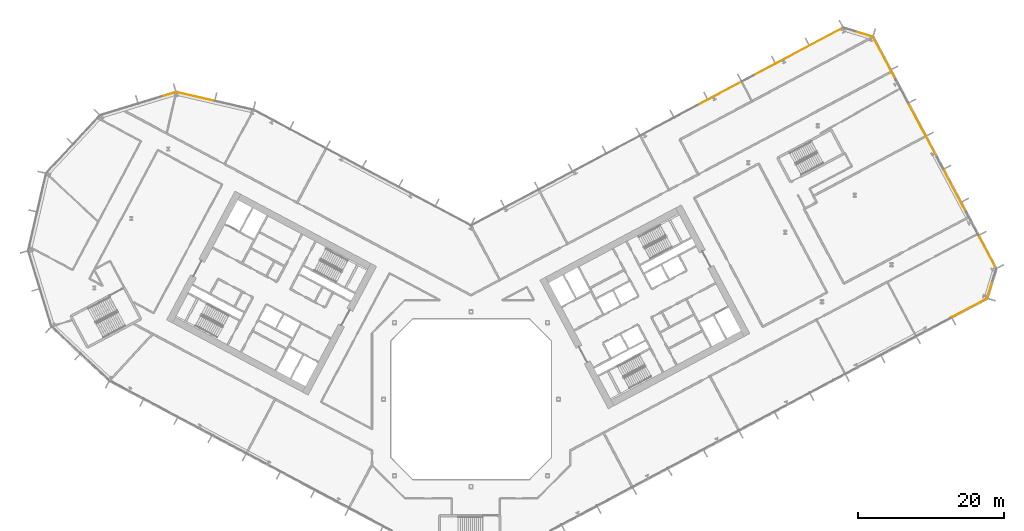
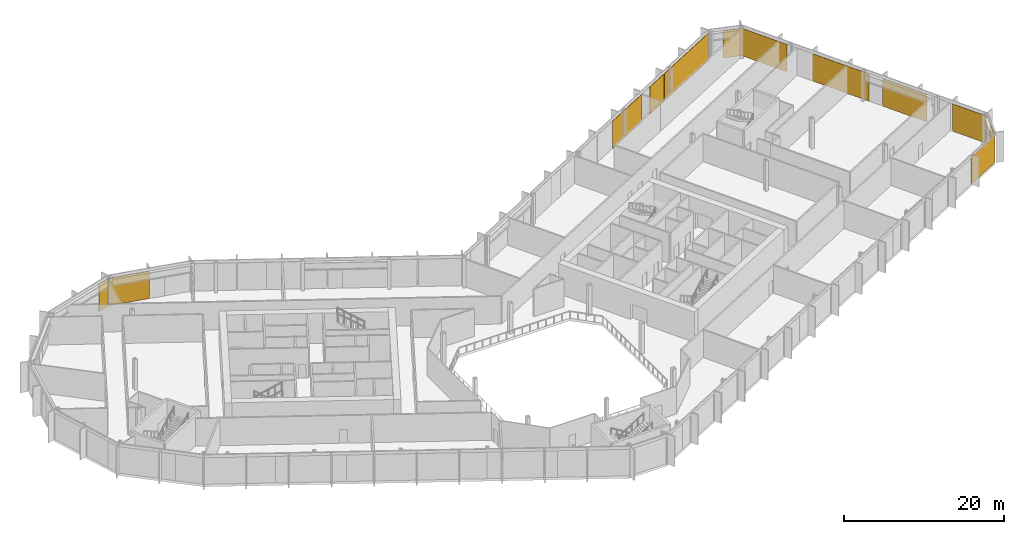
# One storey, part 31 of 31: 12 coverings, 7 elements without a shape of their own.
"""IFC4 building model written with IfcOpenShell, lengths in metres."""

from ifc_helpers import new_model, si_unit, direction, frame, origin, origin_2d, place, context, subcontext, project, spatial, rectangle, extrude, material, layer, layer_set, type_object, element, aggregate, save


model = new_model("IFC4")

# Units and contexts
model_context = context("Model", 3, precision=1e-05, world=origin(), true_north=direction((0.0, 1.0)))
body_context = subcontext(model_context, "Body", "Model", "MODEL_VIEW")
ifc_project = project(units=[si_unit("LENGTHUNIT", "METRE"), si_unit("AREAUNIT", "SQUARE_METRE"), si_unit("VOLUMEUNIT", "CUBIC_METRE"), si_unit("PLANEANGLEUNIT", "RADIAN"), si_unit("MASSUNIT", "GRAM", prefix="KILO")], contexts=[model_context])

# Site, building, storey
site_placement = place(None, origin())
site = spatial("IfcSite", under=ifc_project, at=site_placement, CompositionType="ELEMENT")
building_placement = place(site_placement, origin())
building = spatial("IfcBuilding", under=site, at=building_placement, Name="Cormorant Relay Tower", CompositionType="ELEMENT")
storey_placement = place(building_placement, frame((0.0, 0.0, 103.0)))
storey = spatial("IfcBuildingStorey", under=building, at=storey_placement, Name="L20", CompositionType="ELEMENT", Elevation=103.0)

# Curtain wall, covering
ifc_material_1 = material(Name="Aluminium 6063-T6 anodised bronze", Category="aluminium")
ifc_layer_1 = layer(ifc_material_1, 0.199951171875)
ifc_layer_set_1 = layer_set([ifc_layer_1], Name="CW1 unitised bronze curtain wall with vertical fins")
curtain_wall_type = type_object("IfcCurtainWallType", Name="CW1 unitised bronze curtain wall with vertical fins", PredefinedType="NOTDEFINED", material=ifc_layer_set_1)
curtain_wall_1_placement = place(storey_placement, origin())
curtain_wall_1 = element("IfcCurtainWall", 1, at=curtain_wall_1_placement, inside=storey, type_object=curtain_wall_type, Name="CW1 curtain wall 2", PredefinedType="NOTDEFINED")
ifc_material_2 = material(Name="Pale bronze anodised aluminium insulated panel", Category="aluminium")
ifc_layer_2 = layer(ifc_material_2, 0.0400390625)
ifc_layer_set_2 = layer_set([ifc_layer_2], Name="CW1 pale bronze insulated panel 40")
covering_type = type_object("IfcCoveringType", Name="CW1 pale bronze insulated panel 40", PredefinedType="CLADDING", material=ifc_layer_set_2)
covering_1_placement = place(storey_placement, frame((68.391357421875, 12.557861328125, 0.0), z_axis=(0.0, 0.0, 1.0), x_axis=(0.882947592859, 0.469471562786, 0.0)))
covering_1 = element("IfcCovering", 2, at=covering_1_placement, type_object=covering_type, Name="CW1 panel S14", PredefinedType="CLADDING", context=body_context, shape_type="SweptSolid", body=[
    extrude(rectangle(XDim=5.436767578125, YDim=0.0400390625, at=origin_2d()), origin(), (0.0, 0.0, 1.0), 4.14990234375),
])
aggregate(curtain_wall_1, [covering_1])

curtain_wall_2_placement = place(storey_placement, origin())
curtain_wall_2 = element("IfcCurtainWall", 3, at=curtain_wall_2_placement, inside=storey, type_object=curtain_wall_type, Name="CW1 curtain wall 3", PredefinedType="NOTDEFINED")
covering_2_placement = place(storey_placement, frame((71.16943359375, 15.049560546875, 0.0), z_axis=(0.0, 0.0, 1.0), x_axis=(0.292371704723, 0.956304755963, 0.0)))
covering_2 = element("IfcCovering", 4, at=covering_2_placement, type_object=covering_type, Name="CW1 panel S00", PredefinedType="CLADDING", context=body_context, shape_type="SweptSolid", body=[
    extrude(rectangle(XDim=2.36767578125, YDim=0.0400390625, at=origin_2d()), origin(), (0.0, 0.0, 1.0), 4.14990234375),
])
aggregate(curtain_wall_2, [covering_2])

# Curtain wall, coverings
curtain_wall_3_placement = place(storey_placement, origin())
curtain_wall_3 = element("IfcCurtainWall", 5, at=curtain_wall_3_placement, inside=storey, type_object=curtain_wall_type, Name="CW1 curtain wall 4", PredefinedType="NOTDEFINED")
covering_3_placement = place(storey_placement, frame((70.833251953125, 20.188720703125, 0.0), z_axis=(0.0, 0.0, 1.0), x_axis=(-0.469471562786, 0.882947592859, 0.0)))
covering_3 = element("IfcCovering", 6, at=covering_3_placement, type_object=covering_type, Name="CW1 panel S00", PredefinedType="CLADDING", context=body_context, shape_type="SweptSolid", body=[
    extrude(rectangle(XDim=4.992919921875, YDim=0.0400390625, at=origin_2d()), origin(), (0.0, 0.0, 1.0), 4.14990234375),
])
covering_4_placement = place(storey_placement, frame((66.366455078125, 28.58935546875, 0.0), z_axis=(0.0, 0.0, 1.0), x_axis=(-0.469471562786, 0.882947592859, 0.0)))
covering_4 = element("IfcCovering", 7, at=covering_4_placement, type_object=covering_type, Name="CW1 panel S02", PredefinedType="CLADDING", context=body_context, shape_type="SweptSolid", body=[
    extrude(rectangle(XDim=6.53564453125, YDim=0.0400390625, at=origin_2d()), origin(), (0.0, 0.0, 1.0), 4.14990234375),
])
covering_5_placement = place(storey_placement, frame((61.960205078125, 36.87646484375, 0.0), z_axis=(0.0, 0.0, 1.0), x_axis=(-0.469471562786, 0.882947592859, 0.0)))
covering_5 = element("IfcCovering", 8, at=covering_5_placement, type_object=covering_type, Name="CW1 panel S04", PredefinedType="CLADDING", context=body_context, shape_type="SweptSolid", body=[
    extrude(rectangle(XDim=8.335693359375, YDim=0.0400390625, at=origin_2d()), origin(), (0.0, 0.0, 1.0), 4.14990234375),
])
covering_6_placement = place(storey_placement, frame((56.691162109375, 46.785888671875, 0.0), z_axis=(0.0, 0.0, 1.0), x_axis=(-0.469471562786, 0.882947592859, 0.0)))
covering_6 = element("IfcCovering", 9, at=covering_6_placement, type_object=covering_type, Name="CW1 panel S06", PredefinedType="CLADDING", context=body_context, shape_type="SweptSolid", body=[
    extrude(rectangle(XDim=6.610595703125, YDim=0.0400390625, at=origin_2d()), origin(), (0.0, 0.0, 1.0), 4.14990234375),
])
aggregate(curtain_wall_3, [covering_3, covering_4, covering_5, covering_6])

# Curtain wall, covering
curtain_wall_4_placement = place(storey_placement, origin())
curtain_wall_4 = element("IfcCurtainWall", 10, at=curtain_wall_4_placement, inside=storey, type_object=curtain_wall_type, Name="CW1 curtain wall 5", PredefinedType="NOTDEFINED")
covering_7_placement = place(storey_placement, frame((53.923828125, 50.082275390625, 0.0), z_axis=(0.0, 0.0, 1.0), x_axis=(-0.956304755963, 0.292371704723, 0.0)))
covering_7 = element("IfcCovering", 11, at=covering_7_placement, type_object=covering_type, Name="CW1 panel S00", PredefinedType="CLADDING", context=body_context, shape_type="SweptSolid", body=[
    extrude(rectangle(XDim=2.36767578125, YDim=0.0400390625, at=origin_2d()), origin(), (0.0, 0.0, 1.0), 4.14990234375),
])
aggregate(curtain_wall_4, [covering_7])

# Curtain wall, coverings
curtain_wall_5_placement = place(storey_placement, origin())
curtain_wall_5 = element("IfcCurtainWall", 12, at=curtain_wall_5_placement, inside=storey, type_object=curtain_wall_type, Name="CW1 curtain wall 6", PredefinedType="NOTDEFINED")
covering_8_placement = place(storey_placement, frame((46.412841796875, 48.48486328125, 0.0), z_axis=(0.0, 0.0, 1.0), x_axis=(-0.882947592859, -0.469471562786, 0.0)))
covering_8 = element("IfcCovering", 13, at=covering_8_placement, type_object=covering_type, Name="CW1 panel S00", PredefinedType="CLADDING", context=body_context, shape_type="SweptSolid", body=[
    extrude(rectangle(XDim=10.365234375, YDim=0.0400390625, at=origin_2d()), origin(), (0.0, 0.0, 1.0), 4.14990234375),
])
covering_9_placement = place(storey_placement, frame((40.244140625, 45.204833984375, 0.0), z_axis=(0.0, 0.0, 1.0), x_axis=(-0.882947592859, -0.469471562786, 0.0)))
covering_9 = element("IfcCovering", 14, at=covering_9_placement, type_object=covering_type, Name="CW1 panel S01", PredefinedType="CLADDING", context=body_context, shape_type="SweptSolid", body=[
    extrude(rectangle(XDim=3.3076171875, YDim=0.0400390625, at=origin_2d()), origin(), (0.0, 0.0, 1.0), 4.14990234375),
])
covering_10_placement = place(storey_placement, frame((34.075439453125, 41.9248046875, 0.0), z_axis=(0.0, 0.0, 1.0), x_axis=(-0.882947592859, -0.469471562786, 0.0)))
covering_10 = element("IfcCovering", 15, at=covering_10_placement, type_object=covering_type, Name="CW1 panel S03", PredefinedType="CLADDING", context=body_context, shape_type="SweptSolid", body=[
    extrude(rectangle(XDim=6.765380859375, YDim=0.0400390625, at=origin_2d()), origin(), (0.0, 0.0, 1.0), 4.14990234375),
])
aggregate(curtain_wall_5, [covering_8, covering_9, covering_10])

# Curtain wall, covering
curtain_wall_6_placement = place(storey_placement, origin())
curtain_wall_6 = element("IfcCurtainWall", 16, at=curtain_wall_6_placement, inside=storey, type_object=curtain_wall_type, Name="CW1 curtain wall 8", PredefinedType="NOTDEFINED")
covering_11_placement = place(storey_placement, frame((-37.849609375, 41.530029296875, 0.0), z_axis=(0.0, 0.0, 1.0), x_axis=(-0.974370064785, 0.224951054344, 0.0)))
covering_11 = element("IfcCovering", 17, at=covering_11_placement, type_object=covering_type, Name="CW1 panel S02", PredefinedType="CLADDING", context=body_context, shape_type="SweptSolid", body=[
    extrude(rectangle(XDim=5.360107421875, YDim=0.0400390625, at=origin_2d()), origin(), (0.0, 0.0, 1.0), 4.14990234375),
])
aggregate(curtain_wall_6, [covering_11])

curtain_wall_7_placement = place(storey_placement, origin())
curtain_wall_7 = element("IfcCurtainWall", 18, at=curtain_wall_7_placement, inside=storey, type_object=curtain_wall_type, Name="CW1 curtain wall 9", PredefinedType="NOTDEFINED")
covering_12_placement = place(storey_placement, frame((-41.348876953125, 41.8642578125, 0.0), z_axis=(0.0, 0.0, 1.0), x_axis=(-0.956304755963, -0.292371704723, 0.0)))
covering_12 = element("IfcCovering", 19, at=covering_12_placement, type_object=covering_type, Name="CW1 panel S00", PredefinedType="CLADDING", context=body_context, shape_type="SweptSolid", body=[
    extrude(rectangle(XDim=1.685302734375, YDim=0.0400390625, at=origin_2d()), origin(), (0.0, 0.0, 1.0), 4.14990234375),
])
aggregate(curtain_wall_7, [covering_12])

save(model, "model.ifc")
